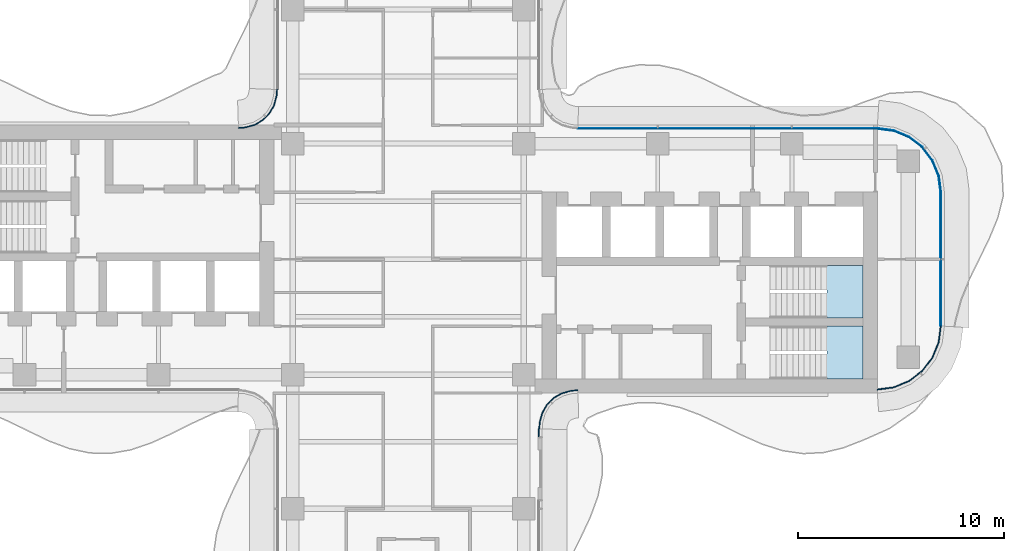
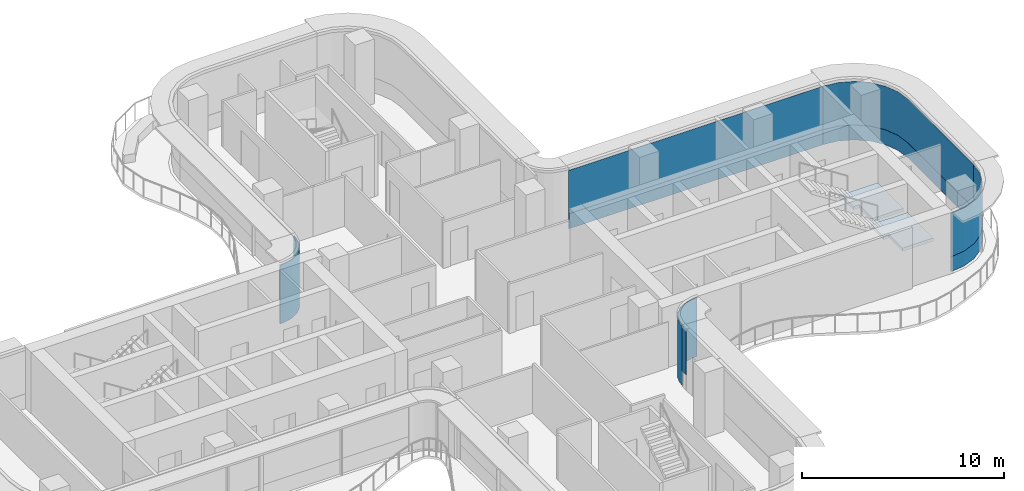
# One storey, part 10 of 17: 9 plates, 2 slabs, 8 elements without a shape of their own.
"""IFC4 building model written with IfcOpenShell, lengths in metres."""

from ifc_helpers import new_model, si_unit, direction, frame, origin, place, context, subcontext, project, spatial, polyline, outline, extrude, source, transform, mapped, material, layer, layer_set, type_object, element, aggregate, save


model = new_model("IFC4")

# Units and contexts
model_context = context("Model", 3, precision=1e-05, world=origin(), true_north=direction((0.0, 1.0)))
body_context = subcontext(model_context, "Body", "Model", "MODEL_VIEW")
ifc_project = project(units=[si_unit("LENGTHUNIT", "METRE"), si_unit("AREAUNIT", "SQUARE_METRE"), si_unit("VOLUMEUNIT", "CUBIC_METRE"), si_unit("PLANEANGLEUNIT", "RADIAN"), si_unit("MASSUNIT", "GRAM", prefix="KILO")], contexts=[model_context])

# Site, building, storey
site_placement = place(None, origin())
site = spatial("IfcSite", under=ifc_project, at=site_placement, CompositionType="ELEMENT")
building_placement = place(site_placement, origin())
building = spatial("IfcBuilding", under=site, at=building_placement, Name="Trellis Farm Tower", CompositionType="ELEMENT")
storey_placement = place(building_placement, frame((0.0, 0.0, 244.10009765625)))
storey = spatial("IfcBuildingStorey", under=building, at=storey_placement, Name="L54", CompositionType="ELEMENT", Elevation=244.10009765625)

# Stair, slab
ifc_material_1 = material(Name="Concrete C50/60", Category="concrete")
stair_type = type_object("IfcStairType", Name="CORE EXIT STAIR 22 RISERS 177 MM", PredefinedType="HALF_TURN_STAIR", material=ifc_material_1)
placement_1 = place(storey_placement, origin())
stair_1 = element("IfcStair", 1, at=placement_1, inside=storey, type_object=stair_type, Name="Exit stair E1", PredefinedType="HALF_TURN_STAIR")
ifc_layer_1 = layer(ifc_material_1, 0.18994140625)
ifc_layer_set_1 = layer_set([ifc_layer_1], Name="CORE STAIR LANDING 190 CONCRETE C50/60")
slab_type = type_object("IfcSlabType", Name="CORE STAIR LANDING 190 CONCRETE C50/60", PredefinedType="LANDING", material=ifc_layer_set_1)
shared_shape_1 = source(origin(), body_context, "Body", "SweptSolid", [
    extrude(outline(polyline([(20.2900390625, -5.800048828125), (20.2900390625, -4.60009765625), (20.300048828125, -4.60009765625), (20.300048828125, -4.449951171875), (19.971923828125, -4.449951171875), (19.971923828125, -3.25), (20.300048828125, -3.25), (22.050048828125, -3.25), (22.050048828125, -5.800048828125), (20.300048828125, -5.800048828125), (20.2900390625, -5.800048828125)])), origin(), (0.0, 0.0, 1.0), 0.18994140625),
])
placement_2 = place(storey_placement, frame((0.0, 0.0, 1.760009765625)))
slab_1 = element("IfcSlab", 2, at=placement_2, type_object=slab_type, Name="STE1 landing 1", PredefinedType="LANDING", context=body_context, shape_type="MappedRepresentation", body=[
    mapped(shared_shape_1, transform((0.0, 0.0, 0.0))),
])
aggregate(stair_1, [slab_1])

stair_2 = element("IfcStair", 3, at=placement_1, inside=storey, type_object=stair_type, Name="Exit stair E2", PredefinedType="HALF_TURN_STAIR")
shared_shape_2 = source(origin(), body_context, "Body", "SweptSolid", [
    extrude(outline(polyline([(20.2900390625, -2.85009765625), (20.2900390625, -1.64990234375), (20.300048828125, -1.64990234375), (20.300048828125, -1.5), (19.971923828125, -1.5), (19.971923828125, -0.300048828125), (20.300048828125, -0.300048828125), (22.050048828125, -0.300048828125), (22.050048828125, -2.85009765625), (20.300048828125, -2.85009765625), (20.2900390625, -2.85009765625)])), origin(), (0.0, 0.0, 1.0), 0.18994140625),
])
slab_2 = element("IfcSlab", 4, at=placement_2, type_object=slab_type, Name="STE2 landing 1", PredefinedType="LANDING", context=body_context, shape_type="MappedRepresentation", body=[
    mapped(shared_shape_2, transform((0.0, 0.0, 0.0))),
])
aggregate(stair_2, [slab_2])

# Curtain wall, plate
ifc_material_2 = material(Name="Aluminium and glass curtain wall", Category="aluminium")
ifc_layer_2 = layer(ifc_material_2, 0.166015625)
ifc_layer_set_2 = layer_set([ifc_layer_2], Name="WINTER GARDEN CURTAIN WALL CW3")
curtain_wall_type_1 = type_object("IfcCurtainWallType", Name="WINTER GARDEN CURTAIN WALL CW3", PredefinedType="NOTDEFINED", material=ifc_layer_set_2)
curtain_wall_1 = element("IfcCurtainWall", 5, at=placement_1, inside=storey, type_object=curtain_wall_type_1, Name="CW3 002", PredefinedType="NOTDEFINED")
ifc_material_3 = material(Name="Clear insulated glass", Category="glass")
ifc_layer_3 = layer(ifc_material_3, 0.0458984375)
ifc_layer_set_3 = layer_set([ifc_layer_3], Name="CW3 GLASS PANEL 46")
plate_type_1 = type_object("IfcPlateType", Name="CW3 GLASS PANEL 46", PredefinedType="CURTAIN_PANEL", material=ifc_layer_set_3)
shared_shape_3 = source(origin(), body_context, "Body", "SweptSolid", [
    extrude(outline(polyline([(6.3798828125, -8.2275390625), (6.394287109375, -8.0078125), (6.40966796875, -7.89208984375), (6.52490234375, -7.462158203125), (6.7509765625, -7.070556640625), (7.070556640625, -6.7509765625), (7.462158203125, -6.52490234375), (7.89208984375, -6.40966796875), (8.0078125, -6.394287109375), (8.2275390625, -6.3798828125), (8.22607421875, -6.333984375), (8.003173828125, -6.3486328125), (7.883056640625, -6.364501953125), (7.4443359375, -6.48193359375), (7.04248046875, -6.714111328125), (6.714111328125, -7.04248046875), (6.48193359375, -7.4443359375), (6.364501953125, -7.883056640625), (6.3486328125, -8.003173828125), (6.333984375, -8.22607421875), (6.3798828125, -8.2275390625)])), origin(), (0.0, 0.0, 1.0), 3.5498046875),
])
plate_1 = element("IfcPlate", 6, at=placement_1, type_object=plate_type_1, Name="PL3 002", PredefinedType="CURTAIN_PANEL", context=body_context, shape_type="MappedRepresentation", body=[
    mapped(shared_shape_3, transform((0.0, 0.0, 0.0))),
])
aggregate(curtain_wall_1, [plate_1])

curtain_wall_2 = element("IfcCurtainWall", 7, at=placement_1, inside=storey, type_object=curtain_wall_type_1, Name="CW3 004", PredefinedType="NOTDEFINED")
shared_shape_4 = source(origin(), body_context, "Body", "SweptSolid", [
    extrude(outline(polyline([(-6.3798828125, 8.2275390625), (-6.394287109375, 8.0078125), (-6.40966796875, 7.89208984375), (-6.52490234375, 7.462158203125), (-6.7509765625, 7.070556640625), (-7.070556640625, 6.7509765625), (-7.462158203125, 6.52490234375), (-7.89208984375, 6.40966796875), (-8.0078125, 6.394287109375), (-8.2275390625, 6.3798828125), (-8.22607421875, 6.333984375), (-8.003173828125, 6.3486328125), (-7.883056640625, 6.364501953125), (-7.4443359375, 6.48193359375), (-7.04248046875, 6.714111328125), (-6.714111328125, 7.04248046875), (-6.48193359375, 7.4443359375), (-6.364501953125, 7.883056640625), (-6.3486328125, 8.003173828125), (-6.333984375, 8.22607421875), (-6.3798828125, 8.2275390625)])), origin(), (0.0, 0.0, 1.0), 3.5498046875),
])
plate_2 = element("IfcPlate", 8, at=placement_1, type_object=plate_type_1, Name="PL3 004", PredefinedType="CURTAIN_PANEL", context=body_context, shape_type="MappedRepresentation", body=[
    mapped(shared_shape_4, transform((0.0, 0.0, 0.0))),
])
aggregate(curtain_wall_2, [plate_2])

# Curtain wall, plates
ifc_layer_4 = layer(ifc_material_2, 0.18994140625)
ifc_layer_set_4 = layer_set([ifc_layer_4], Name="RIBBON CURTAIN WALL CW1")
curtain_wall_type_2 = type_object("IfcCurtainWallType", Name="RIBBON CURTAIN WALL CW1", PredefinedType="NOTDEFINED", material=ifc_layer_set_4)
curtain_wall_3 = element("IfcCurtainWall", 9, at=placement_1, inside=storey, type_object=curtain_wall_type_2, Name="CW1 007", PredefinedType="NOTDEFINED")
ifc_layer_5 = layer(ifc_material_3, 0.0400390625)
ifc_layer_set_5 = layer_set([ifc_layer_5], Name="CW1 GLASS PANEL 40")
plate_type_2 = type_object("IfcPlateType", Name="CW1 GLASS PANEL 40", PredefinedType="CURTAIN_PANEL", material=ifc_layer_set_5)
shared_shape_5 = source(origin(), body_context, "Body", "SweptSolid", [
    extrude(outline(polyline([(22.740234375, -6.35009765625), (23.552001953125, -6.2431640625), (24.29931640625, -5.93359375), (24.941162109375, -5.441162109375), (25.43359375, -4.79931640625), (25.7431640625, -4.052001953125), (25.85009765625, -3.240234375), (25.81005859375, -3.237548828125), (25.7041015625, -4.04150390625), (25.398681640625, -4.779296875), (24.91259765625, -5.41259765625), (24.279296875, -5.898681640625), (23.54150390625, -6.2041015625), (22.737548828125, -6.31005859375), (22.740234375, -6.35009765625)])), origin(), (0.0, 0.0, 1.0), 2.6201171875),
])
placement_3 = place(storey_placement, frame((0.0, 0.0, 0.89990234375)))
plate_3 = element("IfcPlate", 10, at=placement_3, type_object=plate_type_2, Name="PL1 007", PredefinedType="CURTAIN_PANEL", context=body_context, shape_type="MappedRepresentation", body=[
    mapped(shared_shape_5, transform((0.0, 0.0, 0.0))),
])
ifc_material_4 = material(Name="Sandstone faced insulated panel", Category="masonry")
ifc_layer_6 = layer(ifc_material_4, 0.050048828125)
ifc_layer_set_6 = layer_set([ifc_layer_6], Name="CW1 STONE SPANDREL PANEL 50")
plate_type_3 = type_object("IfcPlateType", Name="CW1 STONE SPANDREL PANEL 50", PredefinedType="CURTAIN_PANEL", material=ifc_layer_set_6)
shared_shape_6 = source(origin(), body_context, "Body", "SweptSolid", [
    extrude(outline(polyline([(22.740234375, -6.35009765625), (23.552001953125, -6.2431640625), (24.29931640625, -5.93359375), (24.941162109375, -5.441162109375), (25.43359375, -4.79931640625), (25.7431640625, -4.052001953125), (25.85009765625, -3.240234375), (25.800048828125, -3.23681640625), (25.6943359375, -4.0390625), (25.389892578125, -4.774169921875), (24.905517578125, -5.405517578125), (24.274169921875, -5.889892578125), (23.5390625, -6.1943359375), (22.73681640625, -6.300048828125), (22.740234375, -6.35009765625)])), origin(), (0.0, 0.0, 1.0), 0.89990234375),
])
plate_4 = element("IfcPlate", 11, at=placement_1, type_object=plate_type_3, Name="PS1 007", PredefinedType="CURTAIN_PANEL", context=body_context, shape_type="MappedRepresentation", body=[
    mapped(shared_shape_6, transform((0.0, 0.0, 0.0))),
])
aggregate(curtain_wall_3, [plate_3, plate_4])

curtain_wall_4 = element("IfcCurtainWall", 12, at=placement_1, inside=storey, type_object=curtain_wall_type_2, Name="CW1 008", PredefinedType="NOTDEFINED")
shared_shape_7 = source(origin(), body_context, "Body", "SweptSolid", [
    extrude(outline(polyline([(25.85009765625, -3.240234375), (25.85009765625, 3.240234375), (25.7431640625, 4.052001953125), (25.43359375, 4.79931640625), (24.941162109375, 5.441162109375), (24.29931640625, 5.93359375), (23.552001953125, 6.2431640625), (22.740234375, 6.35009765625), (22.737548828125, 6.31005859375), (23.54150390625, 6.2041015625), (24.279296875, 5.898681640625), (24.91259765625, 5.41259765625), (25.398681640625, 4.779296875), (25.7041015625, 4.04150390625), (25.81005859375, 3.237548828125), (25.81005859375, -3.237548828125), (25.85009765625, -3.240234375)])), origin(), (0.0, 0.0, 1.0), 2.6201171875),
])
plate_5 = element("IfcPlate", 13, at=placement_3, type_object=plate_type_2, Name="PL1 008", PredefinedType="CURTAIN_PANEL", context=body_context, shape_type="MappedRepresentation", body=[
    mapped(shared_shape_7, transform((0.0, 0.0, 0.0))),
])
shared_shape_8 = source(origin(), body_context, "Body", "SweptSolid", [
    extrude(outline(polyline([(25.85009765625, -3.240234375), (25.85009765625, 3.240234375), (25.7431640625, 4.052001953125), (25.43359375, 4.79931640625), (24.941162109375, 5.441162109375), (24.29931640625, 5.93359375), (23.552001953125, 6.2431640625), (22.740234375, 6.35009765625), (22.73681640625, 6.300048828125), (23.5390625, 6.1943359375), (24.274169921875, 5.889892578125), (24.905517578125, 5.405517578125), (25.389892578125, 4.774169921875), (25.6943359375, 4.0390625), (25.800048828125, 3.23681640625), (25.800048828125, -3.23681640625), (25.85009765625, -3.240234375)])), origin(), (0.0, 0.0, 1.0), 0.89990234375),
])
plate_6 = element("IfcPlate", 14, at=placement_1, type_object=plate_type_3, Name="PS1 008", PredefinedType="CURTAIN_PANEL", context=body_context, shape_type="MappedRepresentation", body=[
    mapped(shared_shape_8, transform((0.0, 0.0, 0.0))),
])
aggregate(curtain_wall_4, [plate_5, plate_6])

curtain_wall_5 = element("IfcCurtainWall", 15, at=placement_1, inside=storey, type_object=curtain_wall_type_2, Name="CW1 009", PredefinedType="NOTDEFINED")
shared_shape_9 = source(origin(), body_context, "Body", "SweptSolid", [
    extrude(outline(polyline([(22.740234375, 6.35009765625), (8.2265625, 6.35009765625), (8.22509765625, 6.31005859375), (22.737548828125, 6.31005859375), (22.740234375, 6.35009765625)])), origin(), (0.0, 0.0, 1.0), 2.6201171875),
])
plate_7 = element("IfcPlate", 16, at=placement_3, type_object=plate_type_2, Name="PL1 009", PredefinedType="CURTAIN_PANEL", context=body_context, shape_type="MappedRepresentation", body=[
    mapped(shared_shape_9, transform((0.0, 0.0, 0.0))),
])
shared_shape_10 = source(origin(), body_context, "Body", "SweptSolid", [
    extrude(outline(polyline([(22.740234375, 6.35009765625), (8.2265625, 6.35009765625), (8.224853515625, 6.300048828125), (22.73681640625, 6.300048828125), (22.740234375, 6.35009765625)])), origin(), (0.0, 0.0, 1.0), 0.89990234375),
])
plate_8 = element("IfcPlate", 17, at=placement_1, type_object=plate_type_3, Name="PS1 009", PredefinedType="CURTAIN_PANEL", context=body_context, shape_type="MappedRepresentation", body=[
    mapped(shared_shape_10, transform((0.0, 0.0, 0.0))),
])
aggregate(curtain_wall_5, [plate_7, plate_8])

# Curtain wall, plate
curtain_wall_6 = element("IfcCurtainWall", 18, at=placement_1, inside=storey, type_object=curtain_wall_type_2, Name="CW1 006", PredefinedType="NOTDEFINED")
shared_shape_11 = source(origin(), body_context, "Body", "SweptSolid", [
    extrude(outline(polyline([(6.35009765625, -8.605712890625), (6.35009765625, -8.2265625), (6.31005859375, -8.22509765625), (6.31005859375, -8.605712890625), (6.35009765625, -8.605712890625)])), origin(), (0.0, 0.0, 1.0), 2.6201171875),
])
plate_9 = element("IfcPlate", 19, at=placement_3, type_object=plate_type_2, Name="PL1 006", PredefinedType="CURTAIN_PANEL", context=body_context, shape_type="MappedRepresentation", body=[
    mapped(shared_shape_11, transform((0.0, 0.0, 0.0))),
])
aggregate(curtain_wall_6, [plate_9])

save(model, "model.ifc")
